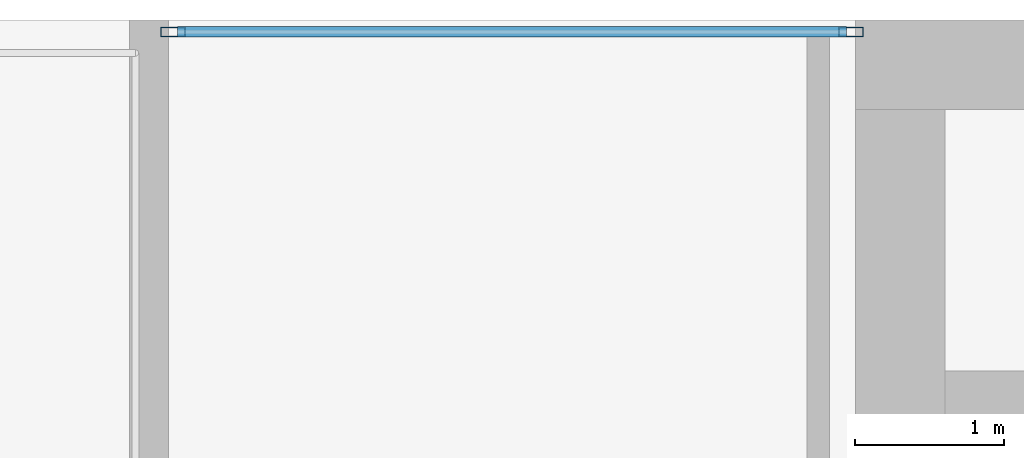
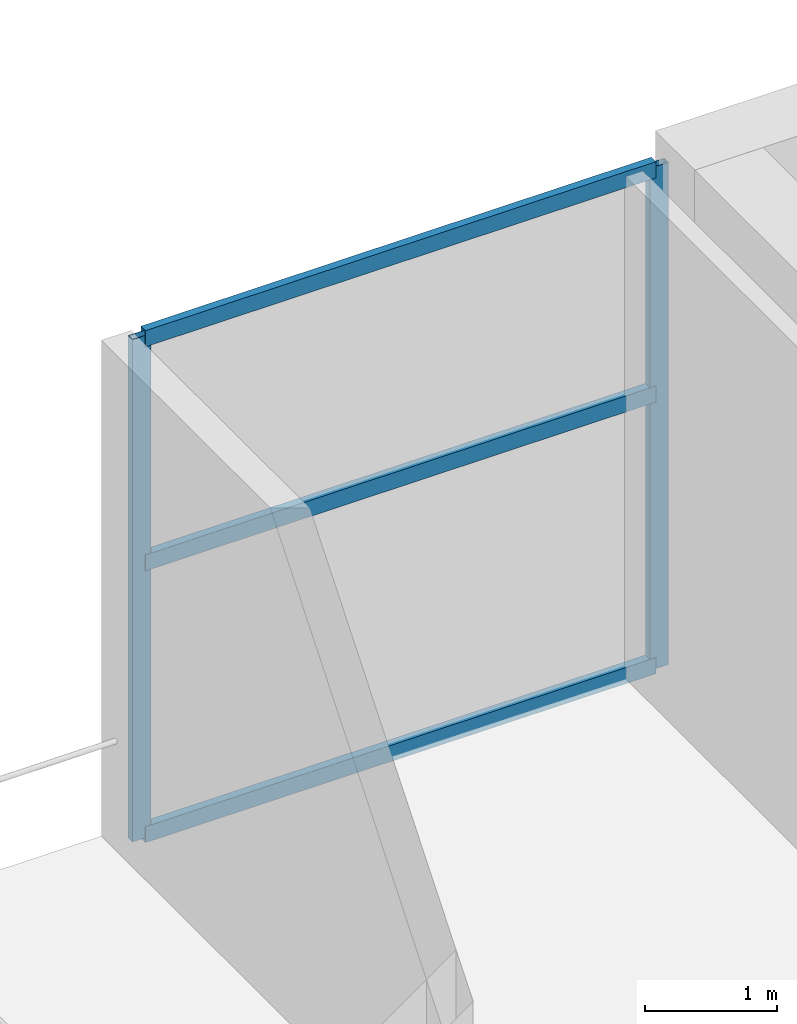
# One storey, part 18 of 28: 5 members, 1 element without a shape of its own.
"""IFC4 building model written with IfcOpenShell, lengths in metres."""

import ifcopenshell
import ifcopenshell.guid

model = None  # the IFC model being written
_history = None  # IfcOwnerHistory: only IFC2X3 demands one
_inside = {}  # id of a spatial element -> (the spatial element, [elements in it])
_under = {}  # id of a project, library or spatial element -> (it, [spatial elements below it])
_declared = {}  # id of a project -> (the project, [libraries it declares])
_typed = {}  # id of a type object -> (the type object, [elements of that type])
_made_of = {}  # id of a material, layer set ... -> (it, [elements and type objects made of it])


def new_model(schema):
    """Start an empty IFC model of exactly this schema.

    Asked for "IFC4X3", IfcOpenShell would pick the latest addendum, in which some entities
    have other attributes; the version numbers below select the first issue.
    IFC2X3 requires an IfcOwnerHistory on every rooted entity: one is made here for all.
    """
    global model, _history
    if schema == "IFC4X3":
        model = ifcopenshell.file(schema_version=(4, 3, 0, 0))
    else:
        model = ifcopenshell.file(schema=schema)
    _inside.clear()
    _under.clear()
    _declared.clear()
    _typed.clear()
    _made_of.clear()
    _history = None
    if model.schema == "IFC2X3":
        org = make("IfcOrganization", Name="unknown")
        user = make(
            "IfcPersonAndOrganization",
            ThePerson=make("IfcPerson", FamilyName="unknown"),
            TheOrganization=org,
        )
        app = make(
            "IfcApplication",
            ApplicationDeveloper=org,
            Version="unknown",
            ApplicationFullName="unknown",
            ApplicationIdentifier="unknown",
        )
        _history = make(
            "IfcOwnerHistory",
            OwningUser=user,
            OwningApplication=app,
            ChangeAction="ADDED",
            CreationDate=0,
        )
    return model


def make(cls, **values):
    """One entity of the class cls with the attributes given. An attribute that is None is left unset."""
    return model.create_entity(
        cls, **{name: value for name, value in values.items() if value is not None}
    )


def rooted(cls, **values):
    """An entity with a GlobalId (a new one), such as an element, a storey or a relation."""
    return make(cls, GlobalId=ifcopenshell.guid.new(), OwnerHistory=_history, **values)


def si_unit(unit_type, name, prefix=None):
    """IfcSIUnit, for example si_unit("LENGTHUNIT", "METRE", prefix="MILLI")."""
    return make("IfcSIUnit", UnitType=unit_type, Prefix=prefix, Name=name)


def assignment(units):
    """IfcUnitAssignment: the units of a project."""
    return None if units is None else make("IfcUnitAssignment", Units=units)


def point(xyz):
    """IfcCartesianPoint."""
    return None if xyz is None else make("IfcCartesianPoint", Coordinates=xyz)


def direction(xyz):
    """IfcDirection."""
    return None if xyz is None else make("IfcDirection", DirectionRatios=xyz)


def frame(location, z_axis=None, x_axis=None):
    """IfcAxis2Placement3D, a coordinate frame: its origin and axes. An axis left out is left unset."""
    return make(
        "IfcAxis2Placement3D",
        Location=point(location),
        Axis=direction(z_axis),
        RefDirection=direction(x_axis),
    )


def frame_2d(location, x_axis=None):
    """IfcAxis2Placement2D, a coordinate frame in the plane: its origin and x axis."""
    return make(
        "IfcAxis2Placement2D", Location=point(location), RefDirection=direction(x_axis)
    )


def origin():
    """The frame at (0, 0, 0) with its axes left unset."""
    return frame((0.0, 0.0, 0.0))


def origin_2d():
    """The frame at (0, 0) in the plane with its x axis left unset."""
    return frame_2d((0.0, 0.0))


def place(relative_to, where):
    """IfcLocalPlacement: puts the frame where relative to a parent placement (None: the world)."""
    return make(
        "IfcLocalPlacement", PlacementRelTo=relative_to, RelativePlacement=where
    )


def context(
    kind, dimensions, precision=None, world=None, true_north=None, identifier=None
):
    """IfcGeometricRepresentationContext, for example the 3D "Model" context."""
    return make(
        "IfcGeometricRepresentationContext",
        ContextIdentifier=identifier,
        ContextType=kind,
        CoordinateSpaceDimension=dimensions,
        Precision=precision,
        WorldCoordinateSystem=world,
        TrueNorth=true_north,
    )


def subcontext(parent, identifier, kind, view, scale=None):
    """IfcGeometricRepresentationSubContext, for example "Body" below "Model"."""
    return make(
        "IfcGeometricRepresentationSubContext",
        ContextIdentifier=identifier,
        ContextType=kind,
        ParentContext=parent,
        TargetScale=scale,
        TargetView=view,
    )


def project(units=None, contexts=None):
    """IfcProject with its units and contexts."""
    return rooted(
        "IfcProject",
        Name="project",
        RepresentationContexts=contexts,
        UnitsInContext=assignment(units),
    )


def spatial(cls, under=None, at=None, **own):
    """A site, building, storey or space (cls), placed at a placement, below another one or the project."""
    s = rooted(cls, ObjectPlacement=at, **own)
    if under is not None:
        _under.setdefault(under.id(), (under, []))[1].append(s)
    return s


def profile(cls, at=None, kind="AREA", **sizes):
    """A parametric profile (cls). Its sizes go by their IFC names, for example OverallWidth=200.0."""
    return make(cls, ProfileType=kind, Position=at, **sizes)


def hollow_rectangle(**sizes):
    """IfcRectangleHollowProfileDef."""
    return profile("IfcRectangleHollowProfileDef", **sizes)


def extrude(swept, where, along, depth):
    """IfcExtrudedAreaSolid: the profile swept, set in the frame where, extruded along a direction by depth."""
    return make(
        "IfcExtrudedAreaSolid",
        SweptArea=swept,
        Position=where,
        ExtrudedDirection=direction(along),
        Depth=depth,
    )


def shape(context_of_items, identifier, shape_type, items):
    """IfcShapeRepresentation: the items that make up one representation, for example the "Body"."""
    return make(
        "IfcShapeRepresentation",
        ContextOfItems=context_of_items,
        RepresentationIdentifier=identifier,
        RepresentationType=shape_type,
        Items=items,
    )


def material(Name=None, Category=None):
    """IfcMaterial."""
    return make("IfcMaterial", Name=Name, Category=Category)


def layer(
    of_material, thickness, ventilated=None, Name=None, Category=None, Priority=None
):
    """IfcMaterialLayer: one layer of a wall or slab, of a material (None: an air gap)."""
    return make(
        "IfcMaterialLayer",
        Material=of_material,
        LayerThickness=thickness,
        IsVentilated=ventilated,
        Name=Name,
        Category=Category,
        Priority=Priority,
    )


def layer_set(layers, Name=None):
    """IfcMaterialLayerSet."""
    return make("IfcMaterialLayerSet", MaterialLayers=layers, LayerSetName=Name)


def material_profile(
    of_material, cross_section, Name=None, Category=None, Priority=None
):
    """IfcMaterialProfile: a cross section and its material."""
    return make(
        "IfcMaterialProfile",
        Name=Name,
        Material=of_material,
        Profile=cross_section,
        Priority=Priority,
        Category=Category,
    )


def profile_set(profiles, Name=None, composite=None):
    """IfcMaterialProfileSet."""
    return make(
        "IfcMaterialProfileSet",
        Name=Name,
        MaterialProfiles=profiles,
        CompositeProfile=composite,
    )


def made_of(thing, what):
    """Note that an element or type object is made of a material, layer set ...; save() writes the relation."""
    if what is not None:
        _made_of.setdefault(what.id(), (what, []))[1].append(thing)
    return thing


def type_object(cls, material=None, **own):
    """A type object (cls), such as IfcWallType, which elements share."""
    return made_of(rooted(cls, **own), material)


def element(
    cls,
    number,
    at=None,
    inside=None,
    cuts=None,
    type_object=None,
    material=None,
    context=None,
    identifier="Body",
    shape_type=None,
    held_by="IfcProductDefinitionShape",
    body=None,
    shapes=None,
    **own,
):
    """One element of the class cls, such as IfcWall. Its Tag is "e" and its number.

    at: its placement. inside: the storey or other place that contains it. cuts: it is an
    opening in that element (IfcRelVoidsElement). A single representation is given by context,
    identifier, shape_type and body (its items); several are given by shapes. held_by: the class
    of the entity that holds the representations. save() writes the other relations.
    """
    e = rooted(cls, Tag="e%d" % number, ObjectPlacement=at, **own)
    if body is not None:
        shapes = [shape(context, identifier, shape_type, body)]
    if shapes is not None:
        e.Representation = make(held_by, Representations=shapes)
    if inside is not None:
        _inside.setdefault(inside.id(), (inside, []))[1].append(e)
    if cuts is not None:
        rooted(
            "IfcRelVoidsElement", RelatingBuildingElement=cuts, RelatedOpeningElement=e
        )
    if type_object is not None:
        _typed.setdefault(type_object.id(), (type_object, []))[1].append(e)
    return made_of(e, material)


def aggregate(whole, parts):
    """IfcRelAggregates: a whole, such as a stair, and the parts it consists of."""
    return rooted("IfcRelAggregates", RelatingObject=whole, RelatedObjects=parts)


def save(model, path):
    """Write the relations noted so far, then the file.

    IfcRelAggregates (storeys below a building ...), IfcRelContainedInSpatialStructure (elements
    in a storey), IfcRelDefinesByType, IfcRelAssociatesMaterial and IfcRelDeclares: one each for
    every whole, place, type object, material and project.
    """
    for whole, parts in _under.values():
        aggregate(whole, parts)
    for where, things in _inside.values():
        rooted(
            "IfcRelContainedInSpatialStructure",
            RelatedElements=things,
            RelatingStructure=where,
        )
    for kind, things in _typed.values():
        rooted("IfcRelDefinesByType", RelatedObjects=things, RelatingType=kind)
    for what, things in _made_of.values():
        rooted("IfcRelAssociatesMaterial", RelatedObjects=things, RelatingMaterial=what)
    for by, libraries in _declared.values():
        rooted("IfcRelDeclares", RelatingContext=by, RelatedDefinitions=libraries)
    model.write(path)


model = new_model("IFC4")

# Units and contexts
model_context = context("Model", 3, precision=1e-05, world=origin(), true_north=direction((0.0, 1.0)))
body_context = subcontext(model_context, "Body", "Model", "MODEL_VIEW")
ifc_project = project(units=[si_unit("LENGTHUNIT", "METRE"), si_unit("AREAUNIT", "SQUARE_METRE"), si_unit("VOLUMEUNIT", "CUBIC_METRE"), si_unit("PLANEANGLEUNIT", "RADIAN"), si_unit("MASSUNIT", "GRAM", prefix="KILO")], contexts=[model_context])

# Site, building, storey
site_placement = place(None, origin())
site = spatial("IfcSite", under=ifc_project, at=site_placement, CompositionType="ELEMENT")
building_placement = place(site_placement, origin())
building = spatial("IfcBuilding", under=site, at=building_placement, Name="Maruvema Waterfront Hotel and Observation Tower", CompositionType="ELEMENT")
storey_placement = place(building_placement, frame((0.0, 0.0, 234.5)))
storey = spatial("IfcBuildingStorey", under=building, at=storey_placement, Name="L57", CompositionType="ELEMENT", Elevation=234.5)

# Curtain wall, members
ifc_material_1 = material(Name="Anodised bronze aluminium and solar-control low-E IGU", Category="aluminium")
ifc_layer = layer(ifc_material_1, 0.159912109375, Name="Zone 3 Champagne Inner Thermal Curtain Wall System CW-04")
ifc_layer_set = layer_set([ifc_layer], Name="Anodised bronze aluminium and solar-control low-E IGU")
curtain_wall_type = type_object("IfcCurtainWallType", Name="Zone 3 Champagne Inner Thermal Curtain Wall System CW-04", PredefinedType="USERDEFINED", material=ifc_layer_set)
curtain_wall_placement = place(storey_placement, origin())
curtain_wall = element("IfcCurtainWall", 1, at=curtain_wall_placement, inside=storey, type_object=curtain_wall_type, Name="L57 Curtain Wall CW-L57-NW", ObjectType="UNITISED CURTAIN WALL", PredefinedType="USERDEFINED")
ifc_material_2 = material(Name="Anodised architectural bronze aluminium", Category="aluminium")
ifc_material_profile_1 = material_profile(ifc_material_2, hollow_rectangle(XDim=0.070068359375, YDim=0.14990234375, WallThickness=0.00390625, at=origin_2d()), Name="ALU-T70x150")
ifc_profile_set_1 = profile_set([ifc_material_profile_1], Name="Anodised architectural bronze aluminium")
member_type_1 = type_object("IfcMemberType", Name="Curtain Wall Horizontal Transom ALU-T70x150", PredefinedType="USERDEFINED", material=ifc_profile_set_1)
member_1_placement = place(storey_placement, frame((25.139892578125, 53.919921875, 0.030029296875), z_axis=(-1.0, 0.0, 0.0), x_axis=(0.0, -1.0, 0.0)))
member_1 = element("IfcMember", 2, at=member_1_placement, type_object=member_type_1, Name="CW-04 transom 1.1", ObjectType="TRANSOM", PredefinedType="USERDEFINED", context=body_context, shape_type="SweptSolid", body=[
    extrude(hollow_rectangle(XDim=0.070068359375, YDim=0.14990234375, WallThickness=0.00390625, at=origin_2d()), origin(), (0.0, 0.0, 1.0), 4.47998046875),
])
member_2_placement = place(storey_placement, frame((25.139892578125, 53.919921875, 2.550048828125), z_axis=(-1.0, 0.0, 0.0), x_axis=(0.0, -1.0, 0.0)))
member_2 = element("IfcMember", 3, at=member_2_placement, type_object=member_type_1, Name="CW-04 transom 1.2", ObjectType="TRANSOM", PredefinedType="USERDEFINED", context=body_context, shape_type="SweptSolid", body=[
    extrude(hollow_rectangle(XDim=0.070068359375, YDim=0.14990234375, WallThickness=0.00390625, at=origin_2d()), origin(), (0.0, 0.0, 1.0), 4.47998046875),
])
member_3_placement = place(storey_placement, frame((25.139892578125, 53.919921875, 4.6298828125), z_axis=(-1.0, 0.0, 0.0), x_axis=(0.0, -1.0, 0.0)))
member_3 = element("IfcMember", 4, at=member_3_placement, type_object=member_type_1, Name="CW-04 transom 1.3", ObjectType="TRANSOM", PredefinedType="USERDEFINED", context=body_context, shape_type="SweptSolid", body=[
    extrude(hollow_rectangle(XDim=0.070068359375, YDim=0.14990234375, WallThickness=0.00390625, at=origin_2d()), origin(), (0.0, 0.0, 1.0), 4.47998046875),
])
ifc_material_3 = material(Name="Anodised architectural bronze aluminium", Category="aluminium")
ifc_material_profile_2 = material_profile(ifc_material_3, hollow_rectangle(XDim=0.06494140625, YDim=0.1650390625, WallThickness=0.00390625, at=origin_2d()), Name="ALU-M65x165")
ifc_profile_set_2 = profile_set([ifc_material_profile_2], Name="Anodised architectural bronze aluminium")
member_type_2 = type_object("IfcMemberType", Name="Curtain Wall Primary Mullion ALU-M65x165", PredefinedType="MULLION", material=ifc_profile_set_2)
member_4_placement = place(storey_placement, frame((25.169921875, 53.919921875, 0.0), z_axis=(0.0, 0.0, 1.0), x_axis=(0.0, -1.0, 0.0)))
member_4 = element("IfcMember", 5, at=member_4_placement, type_object=member_type_2, Name="CW-04 mullion 1", PredefinedType="MULLION", context=body_context, shape_type="SweptSolid", body=[
    extrude(hollow_rectangle(XDim=0.06494140625, YDim=0.1650390625, WallThickness=0.00390625, at=origin_2d()), origin(), (0.0, 0.0, 1.0), 4.659912109375),
])
member_5_placement = place(storey_placement, frame((20.6298828125, 53.919921875, 0.0), z_axis=(0.0, 0.0, 1.0), x_axis=(0.0, -1.0, 0.0)))
member_5 = element("IfcMember", 6, at=member_5_placement, type_object=member_type_2, Name="CW-04 mullion 2", PredefinedType="MULLION", context=body_context, shape_type="SweptSolid", body=[
    extrude(hollow_rectangle(XDim=0.06494140625, YDim=0.1650390625, WallThickness=0.00390625, at=origin_2d()), origin(), (0.0, 0.0, 1.0), 4.659912109375),
])
aggregate(curtain_wall, [member_4, member_5, member_1, member_2, member_3])

save(model, "model.ifc")
